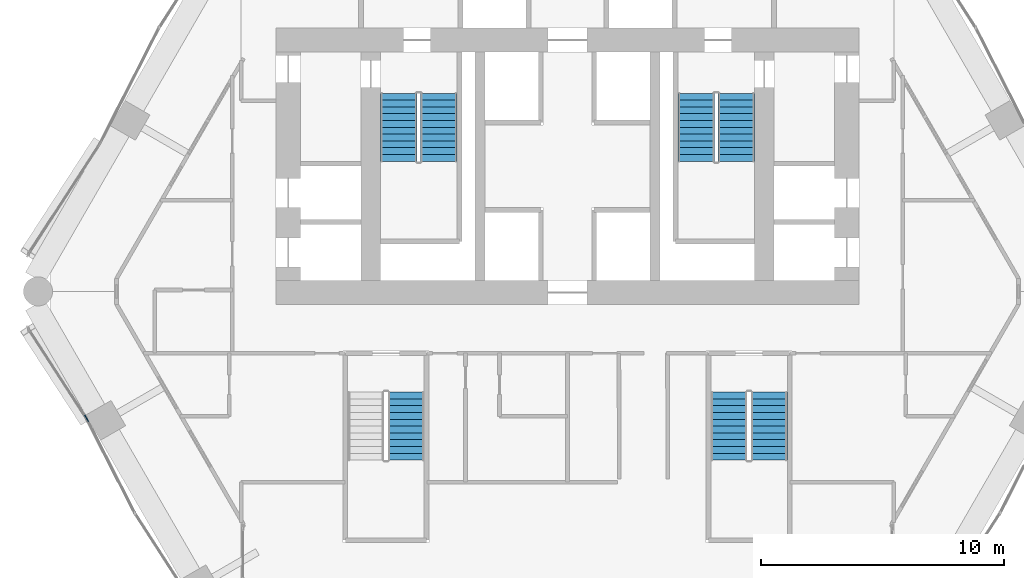
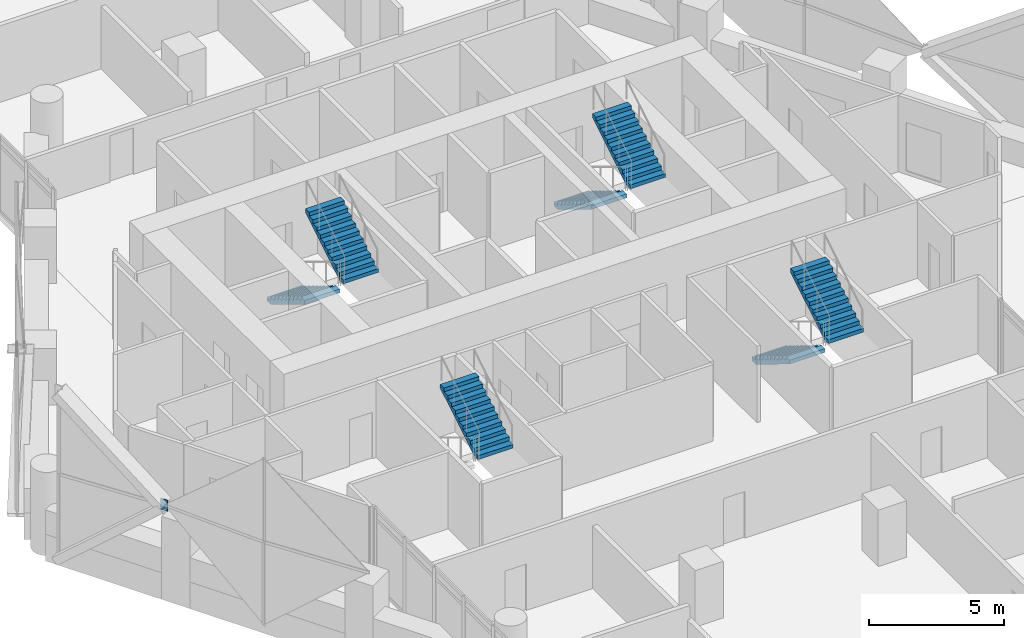
# One storey, part 31 of 36: 7 stair flights, 1 discrete accessory, 4 elements without a shape of their own.
"""IFC4 building model written with IfcOpenShell, lengths in metres."""

from ifc_helpers import new_model, si_unit, direction, frame, origin, origin_2d, place, context, subcontext, project, spatial, polyline, rectangle, outline, extrude, material, layer, layer_set, type_object, element, aggregate, save


model = new_model("IFC4")

# Units and contexts
model_context = context("Model", 3, precision=1e-05, world=origin(), true_north=direction((0.0, 1.0)))
body_context = subcontext(model_context, "Body", "Model", "MODEL_VIEW")
ifc_project = project(units=[si_unit("LENGTHUNIT", "METRE"), si_unit("AREAUNIT", "SQUARE_METRE"), si_unit("VOLUMEUNIT", "CUBIC_METRE"), si_unit("PLANEANGLEUNIT", "RADIAN"), si_unit("MASSUNIT", "GRAM", prefix="KILO")], contexts=[model_context])

# Site, building, storey
site_placement = place(None, origin())
site = spatial("IfcSite", under=ifc_project, at=site_placement, CompositionType="ELEMENT")
building_placement = place(site_placement, origin())
building = spatial("IfcBuilding", under=site, at=building_placement, Name="Ostrander Bayou Hotel Tower", CompositionType="ELEMENT")
storey_placement = place(building_placement, frame((0.0, 0.0, 138.5)))
storey = spatial("IfcBuildingStorey", under=building, at=storey_placement, Name="L34", CompositionType="ELEMENT", Elevation=138.5)

# Stair, stair flights
ifc_material_1 = material(Name="Concrete f'c 45 MPa", Category="concrete")
stair_type = type_object("IfcStairType", Name="ST1 exit stair 1500 mm f'c 45 MPa", PredefinedType="HALF_TURN_STAIR", material=ifc_material_1)
stair_1_placement = place(storey_placement, origin())
stair_1 = element("IfcStair", 1, at=stair_1_placement, inside=storey, type_object=stair_type, Name="L34 exit stair A", PredefinedType="HALF_TURN_STAIR")
ifc_material_2 = material(Name="Concrete f'c 45 MPa", Category="concrete")
stair_flight_type = type_object("IfcStairFlightType", Name="SF1 stair flight 1500 mm f'c 45 MPa", PredefinedType="STRAIGHT", material=ifc_material_2)
stair_flight_1_placement = place(storey_placement, frame((-6.949951171875, 7.0, 0.0), z_axis=(0.0, 0.0, 1.0), x_axis=(0.0, -1.0, 0.0)))
stair_flight_1 = element("IfcStairFlight", 2, at=stair_flight_1_placement, type_object=stair_flight_type, Name="STA flight 1", NumberOfRisers=11, NumberOfTreads=10, PredefinedType="STRAIGHT", RiserHeight=0.170454545, TreadLength=0.28, context=body_context, shape_type="SweptSolid", body=[
    extrude(outline(polyline([(0.0, 0.0), (0.0, 0.17041015625), (0.280029296875, 0.17041015625), (0.280029296875, 0.3408203125), (0.56005859375, 0.3408203125), (0.56005859375, 0.511474609375), (0.840087890625, 0.511474609375), (0.840087890625, 0.681884765625), (1.1201171875, 0.681884765625), (1.1201171875, 0.852294921875), (1.39990234375, 0.852294921875), (1.39990234375, 1.022705078125), (1.679931640625, 1.022705078125), (1.679931640625, 1.193115234375), (1.9599609375, 1.193115234375), (1.9599609375, 1.363525390625), (2.239990234375, 1.363525390625), (2.239990234375, 1.5341796875), (2.52001953125, 1.5341796875), (2.52001953125, 1.70458984375), (2.800048828125, 1.70458984375), (2.800048828125, 1.875), (2.800048828125, 1.529052734375), (0.288330078125, 0.0), (0.0, 0.0)])), frame((0.0, 0.75, 0.0), z_axis=(0.0, -1.0, 0.0), x_axis=(1.0, 0.0, 0.0)), (0.0, 0.0, 1.0), 1.5),
])
stair_flight_2_placement = place(storey_placement, frame((-5.300048828125, 4.199951171875, 1.875), z_axis=(0.0, 0.0, 1.0), x_axis=(0.0, 1.0, 0.0)))
stair_flight_2 = element("IfcStairFlight", 3, at=stair_flight_2_placement, type_object=stair_flight_type, Name="STA flight 2", NumberOfRisers=11, NumberOfTreads=10, PredefinedType="STRAIGHT", RiserHeight=0.170454545, TreadLength=0.28, context=body_context, shape_type="SweptSolid", body=[
    extrude(outline(polyline([(0.0, 0.0), (0.0, 0.17041015625), (0.280029296875, 0.17041015625), (0.280029296875, 0.3408203125), (0.56005859375, 0.3408203125), (0.56005859375, 0.511474609375), (0.840087890625, 0.511474609375), (0.840087890625, 0.681884765625), (1.1201171875, 0.681884765625), (1.1201171875, 0.852294921875), (1.39990234375, 0.852294921875), (1.39990234375, 1.022705078125), (1.679931640625, 1.022705078125), (1.679931640625, 1.193115234375), (1.9599609375, 1.193115234375), (1.9599609375, 1.363525390625), (2.239990234375, 1.363525390625), (2.239990234375, 1.5341796875), (2.52001953125, 1.5341796875), (2.52001953125, 1.70458984375), (2.800048828125, 1.70458984375), (2.800048828125, 1.875), (2.800048828125, 1.529052734375), (0.288330078125, 0.0), (0.0, 0.0)])), frame((0.0, 0.75, 0.0), z_axis=(0.0, -1.0, 0.0), x_axis=(1.0, 0.0, 0.0)), (0.0, 0.0, 1.0), 1.5),
])
aggregate(stair_1, [stair_flight_1, stair_flight_2])

stair_2_placement = place(storey_placement, origin())
stair_2 = element("IfcStair", 4, at=stair_2_placement, inside=storey, type_object=stair_type, Name="L34 exit stair B", PredefinedType="HALF_TURN_STAIR")
stair_flight_3_placement = place(storey_placement, frame((5.300048828125, 7.0, 0.0), z_axis=(0.0, 0.0, 1.0), x_axis=(0.0, -1.0, 0.0)))
stair_flight_3 = element("IfcStairFlight", 5, at=stair_flight_3_placement, type_object=stair_flight_type, Name="STB flight 1", NumberOfRisers=11, NumberOfTreads=10, PredefinedType="STRAIGHT", RiserHeight=0.170454545, TreadLength=0.28, context=body_context, shape_type="SweptSolid", body=[
    extrude(outline(polyline([(0.0, 0.0), (0.0, 0.17041015625), (0.280029296875, 0.17041015625), (0.280029296875, 0.3408203125), (0.56005859375, 0.3408203125), (0.56005859375, 0.511474609375), (0.840087890625, 0.511474609375), (0.840087890625, 0.681884765625), (1.1201171875, 0.681884765625), (1.1201171875, 0.852294921875), (1.39990234375, 0.852294921875), (1.39990234375, 1.022705078125), (1.679931640625, 1.022705078125), (1.679931640625, 1.193115234375), (1.9599609375, 1.193115234375), (1.9599609375, 1.363525390625), (2.239990234375, 1.363525390625), (2.239990234375, 1.5341796875), (2.52001953125, 1.5341796875), (2.52001953125, 1.70458984375), (2.800048828125, 1.70458984375), (2.800048828125, 1.875), (2.800048828125, 1.529052734375), (0.288330078125, 0.0), (0.0, 0.0)])), frame((0.0, 0.75, 0.0), z_axis=(0.0, -1.0, 0.0), x_axis=(1.0, 0.0, 0.0)), (0.0, 0.0, 1.0), 1.5),
])
stair_flight_4_placement = place(storey_placement, frame((6.949951171875, 4.199951171875, 1.875), z_axis=(0.0, 0.0, 1.0), x_axis=(0.0, 1.0, 0.0)))
stair_flight_4 = element("IfcStairFlight", 6, at=stair_flight_4_placement, type_object=stair_flight_type, Name="STB flight 2", NumberOfRisers=11, NumberOfTreads=10, PredefinedType="STRAIGHT", RiserHeight=0.170454545, TreadLength=0.28, context=body_context, shape_type="SweptSolid", body=[
    extrude(outline(polyline([(0.0, 0.0), (0.0, 0.17041015625), (0.280029296875, 0.17041015625), (0.280029296875, 0.3408203125), (0.56005859375, 0.3408203125), (0.56005859375, 0.511474609375), (0.840087890625, 0.511474609375), (0.840087890625, 0.681884765625), (1.1201171875, 0.681884765625), (1.1201171875, 0.852294921875), (1.39990234375, 0.852294921875), (1.39990234375, 1.022705078125), (1.679931640625, 1.022705078125), (1.679931640625, 1.193115234375), (1.9599609375, 1.193115234375), (1.9599609375, 1.363525390625), (2.239990234375, 1.363525390625), (2.239990234375, 1.5341796875), (2.52001953125, 1.5341796875), (2.52001953125, 1.70458984375), (2.800048828125, 1.70458984375), (2.800048828125, 1.875), (2.800048828125, 1.529052734375), (0.288330078125, 0.0), (0.0, 0.0)])), frame((0.0, 0.75, 0.0), z_axis=(0.0, -1.0, 0.0), x_axis=(1.0, 0.0, 0.0)), (0.0, 0.0, 1.0), 1.5),
])
aggregate(stair_2, [stair_flight_3, stair_flight_4])

stair_3_placement = place(storey_placement, origin())
stair_3 = element("IfcStair", 7, at=stair_3_placement, inside=storey, type_object=stair_type, Name="L34 exit stair C", PredefinedType="HALF_TURN_STAIR")
stair_flight_5_placement = place(storey_placement, frame((6.64990234375, -5.300048828125, 0.0), z_axis=(0.0, 0.0, 1.0), x_axis=(0.0, -1.0, 0.0)))
stair_flight_5 = element("IfcStairFlight", 8, at=stair_flight_5_placement, type_object=stair_flight_type, Name="STC flight 1", NumberOfRisers=11, NumberOfTreads=10, PredefinedType="STRAIGHT", RiserHeight=0.170454545, TreadLength=0.28, context=body_context, shape_type="SweptSolid", body=[
    extrude(outline(polyline([(0.0, 0.0), (0.0, 0.17041015625), (0.280029296875, 0.17041015625), (0.280029296875, 0.3408203125), (0.56005859375, 0.3408203125), (0.56005859375, 0.511474609375), (0.840087890625, 0.511474609375), (0.840087890625, 0.681884765625), (1.1201171875, 0.681884765625), (1.1201171875, 0.852294921875), (1.39990234375, 0.852294921875), (1.39990234375, 1.022705078125), (1.679931640625, 1.022705078125), (1.679931640625, 1.193115234375), (1.9599609375, 1.193115234375), (1.9599609375, 1.363525390625), (2.239990234375, 1.363525390625), (2.239990234375, 1.5341796875), (2.52001953125, 1.5341796875), (2.52001953125, 1.70458984375), (2.800048828125, 1.70458984375), (2.800048828125, 1.875), (2.800048828125, 1.529052734375), (0.288330078125, 0.0), (0.0, 0.0)])), frame((0.0, 0.75, 0.0), z_axis=(0.0, -1.0, 0.0), x_axis=(1.0, 0.0, 0.0)), (0.0, 0.0, 1.0), 1.5),
])
stair_flight_6_placement = place(storey_placement, frame((8.300048828125, -8.10009765625, 1.875), z_axis=(0.0, 0.0, 1.0), x_axis=(0.0, 1.0, 0.0)))
stair_flight_6 = element("IfcStairFlight", 9, at=stair_flight_6_placement, type_object=stair_flight_type, Name="STC flight 2", NumberOfRisers=11, NumberOfTreads=10, PredefinedType="STRAIGHT", RiserHeight=0.170454545, TreadLength=0.28, context=body_context, shape_type="SweptSolid", body=[
    extrude(outline(polyline([(0.0, 0.0), (0.0, 0.17041015625), (0.280029296875, 0.17041015625), (0.280029296875, 0.3408203125), (0.56005859375, 0.3408203125), (0.56005859375, 0.511474609375), (0.840087890625, 0.511474609375), (0.840087890625, 0.681884765625), (1.1201171875, 0.681884765625), (1.1201171875, 0.852294921875), (1.39990234375, 0.852294921875), (1.39990234375, 1.022705078125), (1.679931640625, 1.022705078125), (1.679931640625, 1.193115234375), (1.9599609375, 1.193115234375), (1.9599609375, 1.363525390625), (2.239990234375, 1.363525390625), (2.239990234375, 1.5341796875), (2.52001953125, 1.5341796875), (2.52001953125, 1.70458984375), (2.800048828125, 1.70458984375), (2.800048828125, 1.875), (2.800048828125, 1.529052734375), (0.288330078125, 0.0), (0.0, 0.0)])), frame((0.0, 0.75, 0.0), z_axis=(0.0, -1.0, 0.0), x_axis=(1.0, 0.0, 0.0)), (0.0, 0.0, 1.0), 1.5),
])
aggregate(stair_3, [stair_flight_5, stair_flight_6])

# Stair, stair flight
stair_4_placement = place(storey_placement, origin())
stair_4 = element("IfcStair", 10, at=stair_4_placement, inside=storey, type_object=stair_type, Name="L34 exit stair D", PredefinedType="HALF_TURN_STAIR")
stair_flight_7_placement = place(storey_placement, frame((-6.64990234375, -8.10009765625, 1.875), z_axis=(0.0, 0.0, 1.0), x_axis=(0.0, 1.0, 0.0)))
stair_flight_7 = element("IfcStairFlight", 11, at=stair_flight_7_placement, type_object=stair_flight_type, Name="STD flight 2", NumberOfRisers=11, NumberOfTreads=10, PredefinedType="STRAIGHT", RiserHeight=0.170454545, TreadLength=0.28, context=body_context, shape_type="SweptSolid", body=[
    extrude(outline(polyline([(0.0, 0.0), (0.0, 0.17041015625), (0.280029296875, 0.17041015625), (0.280029296875, 0.3408203125), (0.56005859375, 0.3408203125), (0.56005859375, 0.511474609375), (0.840087890625, 0.511474609375), (0.840087890625, 0.681884765625), (1.1201171875, 0.681884765625), (1.1201171875, 0.852294921875), (1.39990234375, 0.852294921875), (1.39990234375, 1.022705078125), (1.679931640625, 1.022705078125), (1.679931640625, 1.193115234375), (1.9599609375, 1.193115234375), (1.9599609375, 1.363525390625), (2.239990234375, 1.363525390625), (2.239990234375, 1.5341796875), (2.52001953125, 1.5341796875), (2.52001953125, 1.70458984375), (2.800048828125, 1.70458984375), (2.800048828125, 1.875), (2.800048828125, 1.529052734375), (0.288330078125, 0.0), (0.0, 0.0)])), frame((0.0, 0.75, 0.0), z_axis=(0.0, -1.0, 0.0), x_axis=(1.0, 0.0, 0.0)), (0.0, 0.0, 1.0), 1.5),
])
aggregate(stair_4, [stair_flight_7])

# Discrete accessory
ifc_material_3 = material(Name="Steel ASTM A572 Gr 50", Category="steel")
ifc_layer = layer(ifc_material_3, 0.030029296875)
ifc_layer_set = layer_set([ifc_layer], Name="GP1 gusset plate 30 mm")
discrete_accessory_type = type_object("IfcDiscreteAccessoryType", Name="GP1 gusset plate 30 mm", PredefinedType="BRACKET", material=ifc_layer_set)
discrete_accessory_placement = place(storey_placement, frame((-19.802978515625, -6.3818359375, 2.89990234375), z_axis=(0.0, 0.0, 1.0), x_axis=(0.5, -0.866025403784, 0.0)))
element("IfcDiscreteAccessory", 12, at=discrete_accessory_placement, inside=storey, type_object=discrete_accessory_type, Name="GP1 gusset plate lat 202", PredefinedType="BRACKET", context=body_context, shape_type="SweptSolid", body=[
    extrude(rectangle(XDim=0.300048828125, YDim=0.030029296875, at=origin_2d()), origin(), (0.0, 0.0, 1.0), 0.5),
])

save(model, "model.ifc")
